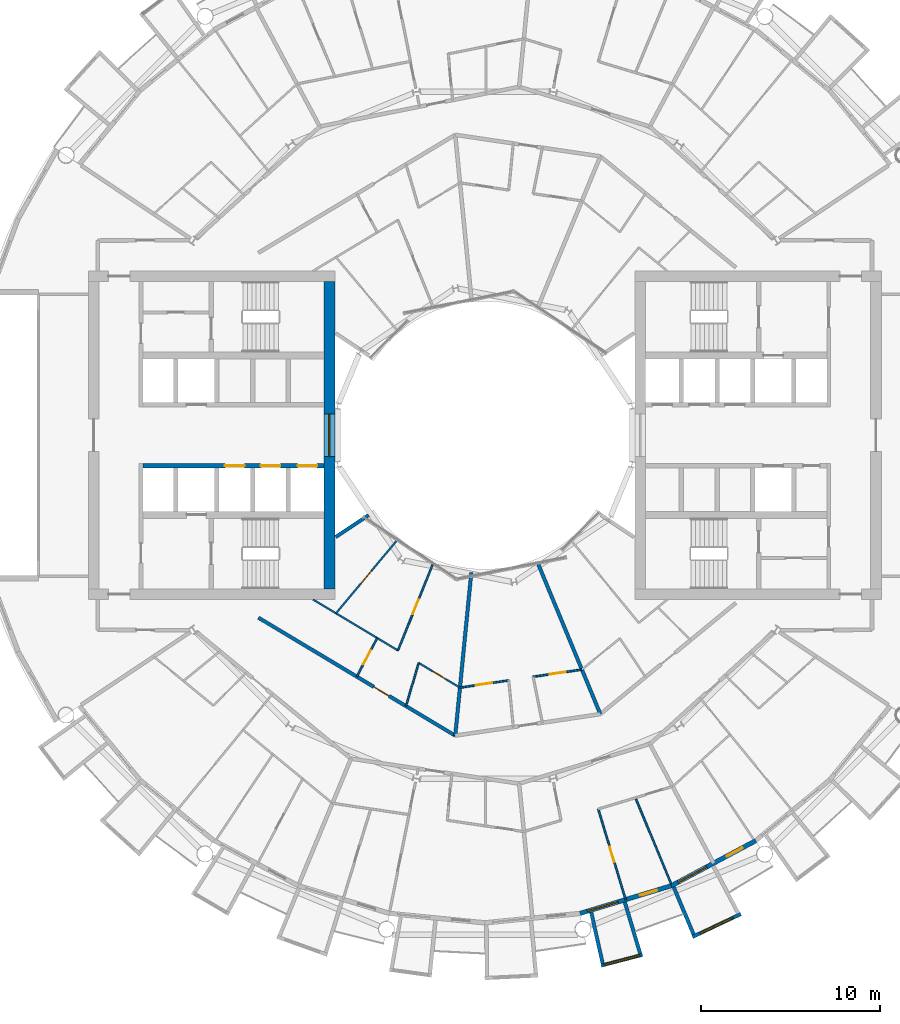
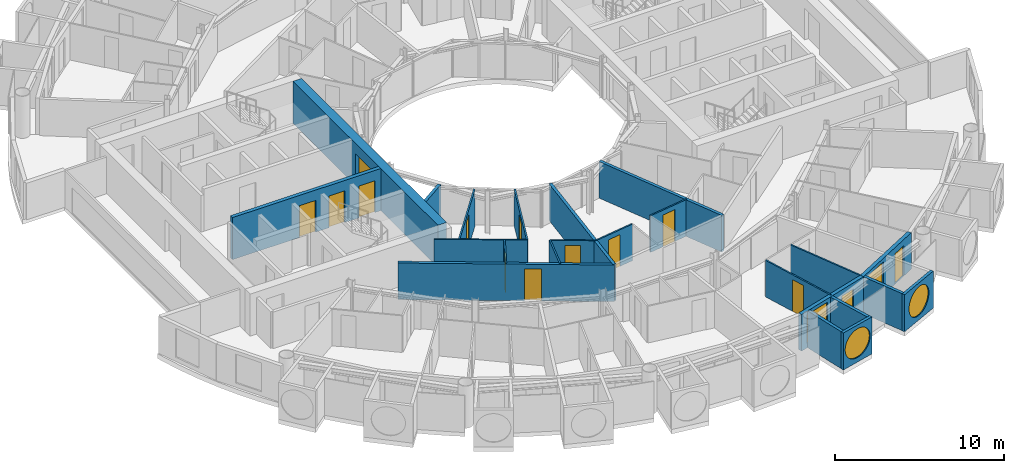
# One storey, part 16 of 27: 23 walls, 13 doors, 5 windows, 18 openings.
"""IFC4 building model written with IfcOpenShell, lengths in metres."""

from ifc_helpers import new_model, si_unit, direction, frame, frame_2d, origin, place, context, subcontext, project, spatial, rectangle, circle, extrude, material, layer, layer_set, type_object, element, fill, save


model = new_model("IFC4")

# Units and contexts
model_context = context("Model", 3, precision=1e-05, world=origin(), true_north=direction((0.0, 1.0)))
body_context = subcontext(model_context, "Body", "Model", "MODEL_VIEW")
ifc_project = project(units=[si_unit("LENGTHUNIT", "METRE"), si_unit("AREAUNIT", "SQUARE_METRE"), si_unit("VOLUMEUNIT", "CUBIC_METRE"), si_unit("PLANEANGLEUNIT", "RADIAN"), si_unit("MASSUNIT", "GRAM", prefix="KILO")], contexts=[model_context])

# Site, building, storey
site_placement = place(None, origin())
site = spatial("IfcSite", under=ifc_project, at=site_placement, CompositionType="ELEMENT")
building_placement = place(site_placement, origin())
building = spatial("IfcBuilding", under=site, at=building_placement, Name="Maasbend Ring Residences", CompositionType="ELEMENT")
storey_placement = place(building_placement, frame((0.0, 0.0, 136.050048828125)))
storey = spatial("IfcBuildingStorey", under=building, at=storey_placement, Name="L39", CompositionType="ELEMENT", Elevation=136.050048828125)

# Wall, openings, doors
ifc_material_1 = material(Name="Concrete C60/75", Category="concrete")
ifc_layer_1 = layer(ifc_material_1, 0.25)
ifc_layer_set_1 = layer_set([ifc_layer_1], Name="Concrete C60/75")
wall_type_1 = type_object("IfcWallType", Name="CORE WALL 250 C60/75", PredefinedType="SHEAR", material=ifc_layer_set_1)
wall_1_placement = place(storey_placement, frame((-9.0, -1.699951171875, 0.0), z_axis=(0.0, 0.0, 1.0), x_axis=(-1.0, 0.0, 0.0)))
wall_1 = element("IfcWall", 1, at=wall_1_placement, inside=storey, type_object=wall_type_1, Name="L39 core W wall SPN", PredefinedType="SHEAR", context=body_context, shape_type="SweptSolid", body=[
    extrude(rectangle(XDim=10.14990234375, YDim=0.25, at=frame_2d((5.074951171875, 0.0))), origin(), (0.0, 0.0, 1.0), 3.050048828125),
])
opening_1_placement = place(wall_1_placement, frame((0.387451171875, 0.0, 0.0)))
opening_1 = element("IfcOpeningElement", 2, at=opening_1_placement, cuts=wall_1, Name="Opening LD-W3901", PredefinedType="OPENING", context=body_context, shape_type="SweptSolid", body=[
    extrude(rectangle(XDim=1.10009765625, YDim=2.300048828125, at=frame_2d((0.550048828125, 1.14990234375))), frame((0.0, 0.135009765625, 0.0), z_axis=(0.0, -1.0, 0.0), x_axis=(1.0, 0.0, 0.0)), (0.0, 0.0, 1.0), 0.27001953125),
])
opening_2_placement = place(wall_1_placement, frame((2.449951171875, 0.0, 0.0)))
opening_2 = element("IfcOpeningElement", 3, at=opening_2_placement, cuts=wall_1, Name="Opening LD-W3902", PredefinedType="OPENING", context=body_context, shape_type="SweptSolid", body=[
    extrude(rectangle(XDim=1.10009765625, YDim=2.300048828125, at=frame_2d((0.550048828125, 1.14990234375))), frame((0.0, 0.135009765625, 0.0), z_axis=(0.0, -1.0, 0.0), x_axis=(1.0, 0.0, 0.0)), (0.0, 0.0, 1.0), 0.27001953125),
])
opening_3_placement = place(wall_1_placement, frame((4.449951171875, 0.0, 0.0)))
opening_3 = element("IfcOpeningElement", 4, at=opening_3_placement, cuts=wall_1, Name="Opening LD-W3903", PredefinedType="OPENING", context=body_context, shape_type="SweptSolid", body=[
    extrude(rectangle(XDim=1.10009765625, YDim=2.300048828125, at=frame_2d((0.550048828125, 1.14990234375))), frame((0.0, 0.135009765625, 0.0), z_axis=(0.0, -1.0, 0.0), x_axis=(1.0, 0.0, 0.0)), (0.0, 0.0, 1.0), 0.27001953125),
])
ifc_material_2 = material(Name="Stainless steel 316", Category="steel")
door_type_1 = type_object("IfcDoorType", Name="LANDING DOOR 1100 X 2300 FD60", OperationType="DOUBLE_DOOR_SLIDING", PredefinedType="DOOR", material=ifc_material_2)
door_1_placement = place(opening_1_placement, origin())
door_1 = element("IfcDoor", 5, at=door_1_placement, inside=storey, type_object=door_type_1, Name="Landing door LR-W1 L39", OperationType="DOUBLE_DOOR_SLIDING", OverallHeight=2.300048828125, OverallWidth=1.10009765625, PredefinedType="DOOR", context=body_context, shape_type="SweptSolid", body=[
    extrude(rectangle(XDim=1.10009765625, YDim=2.300048828125, at=frame_2d((0.550048828125, 1.14990234375))), frame((0.0, 0.02490234375, 0.0), z_axis=(0.0, -1.0, 0.0), x_axis=(1.0, 0.0, 0.0)), (0.0, 0.0, 1.0), 0.050048828125),
])
fill(opening_1, door_1)
door_2_placement = place(opening_2_placement, origin())
door_2 = element("IfcDoor", 6, at=door_2_placement, inside=storey, type_object=door_type_1, Name="Landing door LR-W2 L39", OperationType="DOUBLE_DOOR_SLIDING", OverallHeight=2.300048828125, OverallWidth=1.10009765625, PredefinedType="DOOR", context=body_context, shape_type="SweptSolid", body=[
    extrude(rectangle(XDim=1.10009765625, YDim=2.300048828125, at=frame_2d((0.550048828125, 1.14990234375))), frame((0.0, 0.02490234375, 0.0), z_axis=(0.0, -1.0, 0.0), x_axis=(1.0, 0.0, 0.0)), (0.0, 0.0, 1.0), 0.050048828125),
])
fill(opening_2, door_2)
door_3_placement = place(opening_3_placement, origin())
door_3 = element("IfcDoor", 7, at=door_3_placement, inside=storey, type_object=door_type_1, Name="Landing door LR-W3 L39", OperationType="DOUBLE_DOOR_SLIDING", OverallHeight=2.300048828125, OverallWidth=1.10009765625, PredefinedType="DOOR", context=body_context, shape_type="SweptSolid", body=[
    extrude(rectangle(XDim=1.10009765625, YDim=2.300048828125, at=frame_2d((0.550048828125, 1.14990234375))), frame((0.0, 0.02490234375, 0.0), z_axis=(0.0, -1.0, 0.0), x_axis=(1.0, 0.0, 0.0)), (0.0, 0.0, 1.0), 0.050048828125),
])
fill(opening_3, door_3)

# Wall, opening, window
ifc_material_3 = material(Name="Concrete C60/75", Category="concrete")
ifc_layer_2 = layer(ifc_material_3, 0.60009765625)
ifc_layer_set_2 = layer_set([ifc_layer_2], Name="Concrete C60/75")
wall_type_2 = type_object("IfcWallType", Name="CORE WALL 600 C60/75", PredefinedType="SHEAR", material=ifc_layer_set_2)
wall_2_placement = place(storey_placement, frame((-8.699951171875, 8.60009765625, 0.0), z_axis=(0.0, 0.0, 1.0), x_axis=(0.0, -1.0, 0.0)))
wall_2 = element("IfcWall", 8, at=wall_2_placement, inside=storey, type_object=wall_type_2, Name="L39 core W wall PIN", PredefinedType="SHEAR", context=body_context, shape_type="SweptSolid", body=[
    extrude(rectangle(XDim=17.2001953125, YDim=0.60009765625, at=frame_2d((8.60009765625, 0.0))), origin(), (0.0, 0.0, 1.0), 3.050048828125),
])
opening_4_placement = place(wall_2_placement, frame((7.39990234375, 0.0, 0.10009765625)))
opening_4 = element("IfcOpeningElement", 9, at=opening_4_placement, cuts=wall_2, Name="Opening W-W3901", PredefinedType="OPENING", context=body_context, shape_type="SweptSolid", body=[
    extrude(rectangle(XDim=2.39990234375, YDim=2.199951171875, at=frame_2d((1.199951171875, 1.10009765625))), frame((0.0, 0.31005859375, 0.0), z_axis=(0.0, -1.0, 0.0), x_axis=(1.0, 0.0, 0.0)), (0.0, 0.0, 1.0), 0.6201171875),
])
ifc_material_4 = material(Name="Aluminium frame and clear glass", Category="aluminium")
window_type_1 = type_object("IfcWindowType", Name="FIXED WINDOW 2400 X 2200", PartitioningType="SINGLE_PANEL", PredefinedType="WINDOW", material=ifc_material_4)
window_1_placement = place(opening_4_placement, origin())
window_1 = element("IfcWindow", 10, at=window_1_placement, inside=storey, type_object=window_type_1, Name="Lobby window L39", OverallHeight=2.199951171875, OverallWidth=2.39990234375, PartitioningType="SINGLE_PANEL", PredefinedType="WINDOW", context=body_context, shape_type="SweptSolid", body=[
    extrude(rectangle(XDim=2.39990234375, YDim=2.199951171875, at=frame_2d((1.199951171875, 1.10009765625))), frame((0.0, 0.030029296875, 0.0), z_axis=(0.0, -1.0, 0.0), x_axis=(1.0, 0.0, 0.0)), (0.0, 0.0, 1.0), 0.06005859375),
])
fill(opening_4, window_1)

# Wall, opening, door
ifc_material_5 = material(Name="Concrete C30/37", Category="concrete")
ifc_layer_3 = layer(ifc_material_5, 0.199951171875)
ifc_layer_set_3 = layer_set([ifc_layer_3], Name="Concrete C30/37")
wall_type_3 = type_object("IfcWallType", Name="CORRIDOR WALL 200 CONCRETE", PredefinedType="PARTITIONING", material=ifc_layer_set_3)
wall_3_placement = place(storey_placement, frame((-12.674072265625, -10.216064453125, 0.0), z_axis=(0.0, 0.0, 1.0), x_axis=(0.857761135463, -0.514048474844, 0.0)))
wall_3 = element("IfcWall", 11, at=wall_3_placement, inside=storey, type_object=wall_type_3, Name="U-L39-w018", PredefinedType="PARTITIONING", context=body_context, shape_type="SweptSolid", body=[
    extrude(rectangle(XDim=12.84521484375, YDim=0.199951171875, at=frame_2d((6.422607421875, 0.0))), origin(), (0.0, 0.0, 1.0), 2.64990234375),
])
opening_5_placement = place(wall_3_placement, frame((7.527099609375, 0.0, 0.0)))
opening_5 = element("IfcOpeningElement", 12, at=opening_5_placement, cuts=wall_3, Name="Opening D-3959", PredefinedType="OPENING", context=body_context, shape_type="SweptSolid", body=[
    extrude(rectangle(XDim=1.0, YDim=2.300048828125, at=frame_2d((0.5, 1.14990234375))), frame((0.0, 0.10986328125, 0.0), z_axis=(0.0, -1.0, 0.0), x_axis=(1.0, 0.0, 0.0)), (0.0, 0.0, 1.0), 0.219970703125),
])
ifc_material_6 = material(Name="Timber, fire-rated, painted", Category="wood")
door_type_2 = type_object("IfcDoorType", Name="FLAT ENTRANCE DOOR 1000 X 2300 FIRE-RATED", OperationType="NOTDEFINED", PredefinedType="DOOR", material=ifc_material_6)
door_4_placement = place(opening_5_placement, origin())
door_4 = element("IfcDoor", 13, at=door_4_placement, inside=storey, type_object=door_type_2, Name="D-3959", OperationType="SINGLE_SWING_RIGHT", OverallHeight=2.300048828125, OverallWidth=1.0, PredefinedType="DOOR", context=body_context, shape_type="SweptSolid", body=[
    extrude(rectangle(XDim=1.0, YDim=2.300048828125, at=frame_2d((0.5, 1.14990234375))), frame((0.0, 0.02490234375, 0.0), z_axis=(0.0, -1.0, 0.0), x_axis=(1.0, 0.0, 0.0)), (0.0, 0.0, 1.0), 0.050048828125),
])
fill(opening_5, door_4)

# Wall, opening, window
ifc_material_7 = material(Name="Pale anodised aluminium panel", Category="aluminium")
ifc_layer_4 = layer(ifc_material_7, 0.199951171875)
ifc_layer_set_4 = layer_set([ifc_layer_4], Name="EW-BOX")
wall_type_4 = type_object("IfcWallType", Name="EW-BOX", PredefinedType="SOLIDWALL", material=ifc_layer_set_4)
wall_4_placement = place(storey_placement, frame((6.514892578125, -29.694091796875, -0.030029296875), z_axis=(0.0, 0.0, 1.0), x_axis=(0.967554339146, 0.252663018266, 0.0)))
wall_4 = element("IfcWall", 14, at=wall_4_placement, inside=storey, type_object=wall_type_4, Name="Box front S13", PredefinedType="SOLIDWALL", context=body_context, shape_type="SweptSolid", body=[
    extrude(rectangle(XDim=2.390625, YDim=0.199951171875, at=frame_2d((1.1953125, 0.0))), origin(), (0.0, 0.0, 1.0), 2.679931640625),
])
opening_6_placement = place(wall_4_placement, frame((0.15576171875, 0.0, 0.330078125)))
opening_6 = element("IfcOpeningElement", 15, at=opening_6_placement, cuts=wall_4, Name="Opening W-RD", PredefinedType="OPENING", context=body_context, shape_type="SweptSolid", body=[
    extrude(circle(Radius=1.0400390625, at=frame_2d((1.0400390625, 1.0400390625))), frame((0.0, 0.10986328125, 0.0), z_axis=(0.0, -1.0, 0.0), x_axis=(1.0, 0.0, 0.0)), (0.0, 0.0, 1.0), 0.219970703125),
])
ifc_material_8 = material(Name="Aluminium and clear glass", Category="aluminium")
window_type_2 = type_object("IfcWindowType", Name="W-RD", PartitioningType="SINGLE_PANEL", PredefinedType="WINDOW", material=ifc_material_8)
window_2_placement = place(opening_6_placement, origin())
window_2 = element("IfcWindow", 16, at=window_2_placement, inside=storey, type_object=window_type_2, Name="Round window S13", OverallHeight=2.080078125, OverallWidth=2.080078125, PartitioningType="SINGLE_PANEL", PredefinedType="WINDOW", context=body_context, shape_type="SweptSolid", body=[
    extrude(circle(Radius=1.0400390625, at=frame_2d((1.0400390625, 1.0400390625))), frame((0.0, 0.030029296875, 0.0), z_axis=(0.0, -1.0, 0.0), x_axis=(1.0, 0.0, 0.0)), (0.0, 0.0, 1.0), 0.06005859375),
])
fill(opening_6, window_2)

# Walls
wall_5_placement = place(storey_placement, frame((5.95703125, -26.715087890625, -0.030029296875), z_axis=(0.0, 0.0, 1.0), x_axis=(0.217857287091, -0.975980636315, 0.0)))
element("IfcWall", 17, at=wall_5_placement, inside=storey, type_object=wall_type_4, Name="Box side wall S13 left", PredefinedType="SOLIDWALL", context=body_context, shape_type="SweptSolid", body=[
    extrude(rectangle(XDim=2.92822265625, YDim=0.199951171875, at=frame_2d((1.464111328125, 0.0))), origin(), (0.0, 0.0, 1.0), 2.679931640625),
])
wall_6_placement = place(storey_placement, frame((7.8369140625, -26.14404296875, -0.030029296875), z_axis=(0.0, 0.0, 1.0), x_axis=(0.287064767992, -0.957911174889, 0.0)))
element("IfcWall", 18, at=wall_6_placement, inside=storey, type_object=wall_type_4, Name="Box side wall S13 right", PredefinedType="SOLIDWALL", context=body_context, shape_type="SweptSolid", body=[
    extrude(rectangle(XDim=3.00634765625, YDim=0.199951171875, at=frame_2d((1.503173828125, 0.0))), origin(), (0.0, 0.0, 1.0), 2.679931640625),
])

# Wall, opening, window
wall_7_placement = place(storey_placement, frame((11.62890625, -28.087890625, -0.030029296875), z_axis=(0.0, 0.0, 1.0), x_axis=(0.904000060331, 0.427532327342, 0.0)))
wall_7 = element("IfcWall", 19, at=wall_7_placement, inside=storey, type_object=wall_type_4, Name="Box front S15", PredefinedType="SOLIDWALL", context=body_context, shape_type="SweptSolid", body=[
    extrude(rectangle(XDim=2.993408203125, YDim=0.199951171875, at=frame_2d((1.49658203125, 0.0))), origin(), (0.0, 0.0, 1.0), 2.679931640625),
])
opening_7_placement = place(wall_7_placement, frame((0.45654296875, 0.0, 0.330078125)))
opening_7 = element("IfcOpeningElement", 20, at=opening_7_placement, cuts=wall_7, Name="Opening W-RD", PredefinedType="OPENING", context=body_context, shape_type="SweptSolid", body=[
    extrude(circle(Radius=1.0400390625, at=frame_2d((1.0400390625, 1.0400390625))), frame((0.0, 0.10986328125, 0.0), z_axis=(0.0, -1.0, 0.0), x_axis=(1.0, 0.0, 0.0)), (0.0, 0.0, 1.0), 0.219970703125),
])
window_3_placement = place(opening_7_placement, origin())
window_3 = element("IfcWindow", 21, at=window_3_placement, inside=storey, type_object=window_type_2, Name="Round window S15", OverallHeight=2.080078125, OverallWidth=2.080078125, PartitioningType="SINGLE_PANEL", PredefinedType="WINDOW", context=body_context, shape_type="SweptSolid", body=[
    extrude(circle(Radius=1.0400390625, at=frame_2d((1.0400390625, 1.0400390625))), frame((0.0, 0.030029296875, 0.0), z_axis=(0.0, -1.0, 0.0), x_axis=(1.0, 0.0, 0.0)), (0.0, 0.0, 1.0), 0.06005859375),
])
fill(opening_7, window_3)

# Wall
wall_8_placement = place(storey_placement, frame((10.574951171875, -25.294921875, -0.030029296875), z_axis=(0.0, 0.0, 1.0), x_axis=(0.385697364644, -0.922625353492, 0.0)))
element("IfcWall", 22, at=wall_8_placement, inside=storey, type_object=wall_type_4, Name="Box side wall S15 left", PredefinedType="SOLIDWALL", context=body_context, shape_type="SweptSolid", body=[
    extrude(rectangle(XDim=2.88330078125, YDim=0.199951171875, at=frame_2d((1.441650390625, 0.0))), origin(), (0.0, 0.0, 1.0), 2.679931640625),
])

# Wall, openings, door, window
ifc_material_9 = material(Name="Aluminium clad insulated panel", Category="aluminium")
ifc_layer_5 = layer(ifc_material_9, 0.25)
ifc_layer_set_5 = layer_set([ifc_layer_5], Name="EW-GL")
wall_type_5 = type_object("IfcWallType", Name="EW-GL", PredefinedType="SOLIDWALL", material=ifc_layer_set_5)
wall_9_placement = place(storey_placement, frame((5.325927734375, -26.77490234375, 0.0), z_axis=(0.0, 0.0, 1.0), x_axis=(0.956965678721, 0.290201119486, 0.0)))
wall_9 = element("IfcWall", 23, at=wall_9_placement, inside=storey, type_object=wall_type_5, Name="External wall S07", PredefinedType="SOLIDWALL", context=body_context, shape_type="SweptSolid", body=[
    extrude(rectangle(XDim=5.351318359375, YDim=0.25, at=frame_2d((2.67578125, 0.0))), origin(), (0.0, 0.0, 1.0), 2.64990234375),
])
opening_8_placement = place(wall_9_placement, frame((0.441162109375, 0.0, 0.300048828125)))
opening_8 = element("IfcOpeningElement", 24, at=opening_8_placement, cuts=wall_9, Name="Opening W-BX", PredefinedType="OPENING", context=body_context, shape_type="SweptSolid", body=[
    extrude(rectangle(XDim=1.800048828125, YDim=2.10009765625, at=frame_2d((0.89990234375, 1.050048828125))), frame((0.0, 0.135009765625, 0.0), z_axis=(0.0, -1.0, 0.0), x_axis=(1.0, 0.0, 0.0)), (0.0, 0.0, 1.0), 0.27001953125),
])
opening_9_placement = place(wall_9_placement, frame((3.510498046875, 0.0, 0.0)))
opening_9 = element("IfcOpeningElement", 25, at=opening_9_placement, cuts=wall_9, Name="Opening D-LG", PredefinedType="OPENING", context=body_context, shape_type="SweptSolid", body=[
    extrude(rectangle(XDim=1.0, YDim=2.199951171875, at=frame_2d((0.5, 1.10009765625))), frame((0.0, 0.135009765625, 0.0), z_axis=(0.0, -1.0, 0.0), x_axis=(1.0, 0.0, 0.0)), (0.0, 0.0, 1.0), 0.27001953125),
])
ifc_material_10 = material(Name="Aluminium and clear glass", Category="aluminium")
door_type_3 = type_object("IfcDoorType", Name="D-LG", OperationType="SINGLE_SWING_LEFT", PredefinedType="DOOR", material=ifc_material_10)
door_5_placement = place(opening_9_placement, origin())
door_5 = element("IfcDoor", 26, at=door_5_placement, inside=storey, type_object=door_type_3, Name="Loggia door S14", OperationType="SINGLE_SWING_LEFT", OverallHeight=2.199951171875, OverallWidth=1.0, PredefinedType="DOOR", context=body_context, shape_type="SweptSolid", body=[
    extrude(rectangle(XDim=1.0, YDim=2.199951171875, at=frame_2d((0.5, 1.10009765625))), frame((0.0, 0.02490234375, 0.0), z_axis=(0.0, -1.0, 0.0), x_axis=(1.0, 0.0, 0.0)), (0.0, 0.0, 1.0), 0.050048828125),
])
fill(opening_9, door_5)
ifc_material_11 = material(Name="Aluminium and clear glass", Category="aluminium")
window_type_3 = type_object("IfcWindowType", Name="W-BX", PartitioningType="DOUBLE_PANEL_VERTICAL", PredefinedType="WINDOW", material=ifc_material_11)
window_4_placement = place(opening_8_placement, origin())
window_4 = element("IfcWindow", 27, at=window_4_placement, inside=storey, type_object=window_type_3, Name="Window S13 room to box", OverallHeight=2.10009765625, OverallWidth=1.800048828125, PartitioningType="SINGLE_PANEL", PredefinedType="WINDOW", context=body_context, shape_type="SweptSolid", body=[
    extrude(rectangle(XDim=1.800048828125, YDim=2.10009765625, at=frame_2d((0.89990234375, 1.050048828125))), frame((0.0, 0.030029296875, 0.0), z_axis=(0.0, -1.0, 0.0), x_axis=(1.0, 0.0, 0.0)), (0.0, 0.0, 1.0), 0.06005859375),
])
fill(opening_8, window_4)

wall_10_placement = place(storey_placement, frame((10.447021484375, -25.221923828125, 0.0), z_axis=(0.0, 0.0, 1.0), x_axis=(0.881915646801, 0.471407246368, 0.0)))
wall_10 = element("IfcWall", 28, at=wall_10_placement, inside=storey, type_object=wall_type_5, Name="External wall S08", PredefinedType="SOLIDWALL", context=body_context, shape_type="SweptSolid", body=[
    extrude(rectangle(XDim=5.35205078125, YDim=0.25, at=frame_2d((2.676025390625, 0.0))), origin(), (0.0, 0.0, 1.0), 2.64990234375),
])
opening_10_placement = place(wall_10_placement, frame((0.441162109375, 0.0, 0.300048828125)))
opening_10 = element("IfcOpeningElement", 29, at=opening_10_placement, cuts=wall_10, Name="Opening W-BX", PredefinedType="OPENING", context=body_context, shape_type="SweptSolid", body=[
    extrude(rectangle(XDim=1.800048828125, YDim=2.10009765625, at=frame_2d((0.89990234375, 1.050048828125))), frame((0.0, 0.135009765625, 0.0), z_axis=(0.0, -1.0, 0.0), x_axis=(1.0, 0.0, 0.0)), (0.0, 0.0, 1.0), 0.27001953125),
])
opening_11_placement = place(wall_10_placement, frame((3.510498046875, 0.0, 0.0)))
opening_11 = element("IfcOpeningElement", 30, at=opening_11_placement, cuts=wall_10, Name="Opening D-LG", PredefinedType="OPENING", context=body_context, shape_type="SweptSolid", body=[
    extrude(rectangle(XDim=1.0, YDim=2.199951171875, at=frame_2d((0.5, 1.10009765625))), frame((0.0, 0.135009765625, 0.0), z_axis=(0.0, -1.0, 0.0), x_axis=(1.0, 0.0, 0.0)), (0.0, 0.0, 1.0), 0.27001953125),
])
door_6_placement = place(opening_11_placement, origin())
door_6 = element("IfcDoor", 31, at=door_6_placement, inside=storey, type_object=door_type_3, Name="Loggia door S16", OperationType="SINGLE_SWING_LEFT", OverallHeight=2.199951171875, OverallWidth=1.0, PredefinedType="DOOR", context=body_context, shape_type="SweptSolid", body=[
    extrude(rectangle(XDim=1.0, YDim=2.199951171875, at=frame_2d((0.5, 1.10009765625))), frame((0.0, 0.02490234375, 0.0), z_axis=(0.0, -1.0, 0.0), x_axis=(1.0, 0.0, 0.0)), (0.0, 0.0, 1.0), 0.050048828125),
])
fill(opening_11, door_6)
window_5_placement = place(opening_10_placement, origin())
window_5 = element("IfcWindow", 32, at=window_5_placement, inside=storey, type_object=window_type_3, Name="Window S15 room to box", OverallHeight=2.10009765625, OverallWidth=1.800048828125, PartitioningType="SINGLE_PANEL", PredefinedType="WINDOW", context=body_context, shape_type="SweptSolid", body=[
    extrude(rectangle(XDim=1.800048828125, YDim=2.10009765625, at=frame_2d((0.89990234375, 1.050048828125))), frame((0.0, 0.030029296875, 0.0), z_axis=(0.0, -1.0, 0.0), x_axis=(1.0, 0.0, 0.0)), (0.0, 0.0, 1.0), 0.06005859375),
])
fill(opening_10, window_5)

# Wall, opening, door
ifc_material_12 = material(Name="Gypsum board on steel studs", Category="steel")
ifc_layer_6 = layer(ifc_material_12, 0.10009765625)
ifc_layer_set_6 = layer_set([ifc_layer_6], Name="PARTITION 100 GYPSUM")
wall_type_6 = type_object("IfcWallType", Name="PARTITION 100 GYPSUM", PredefinedType="PARTITIONING", material=ifc_layer_set_6)
wall_11_placement = place(storey_placement, frame((-1.39208984375, -14.132080078125, 0.0), z_axis=(0.0, 0.0, 1.0), x_axis=(0.989182088026, 0.146692865293, 0.0)))
wall_11 = element("IfcWall", 33, at=wall_11_placement, inside=storey, type_object=wall_type_6, Name="U-L39-w019", PredefinedType="PARTITIONING", context=body_context, shape_type="SweptSolid", body=[
    extrude(rectangle(XDim=2.760986328125, YDim=0.10009765625, at=frame_2d((1.38037109375, 0.0))), origin(), (0.0, 0.0, 1.0), 2.64990234375),
])
opening_12_placement = place(wall_11_placement, frame((0.929931640625, 0.0, 0.0)))
opening_12 = element("IfcOpeningElement", 34, at=opening_12_placement, cuts=wall_11, Name="Opening D-3966", PredefinedType="OPENING", context=body_context, shape_type="SweptSolid", body=[
    extrude(rectangle(XDim=0.89990234375, YDim=2.300048828125, at=frame_2d((0.449951171875, 1.14990234375))), frame((0.0, 0.06005859375, 0.0), z_axis=(0.0, -1.0, 0.0), x_axis=(1.0, 0.0, 0.0)), (0.0, 0.0, 1.0), 0.1201171875),
])
ifc_material_13 = material(Name="Timber, painted", Category="wood")
door_type_4 = type_object("IfcDoorType", Name="INTERNAL DOOR 900 X 2300", OperationType="NOTDEFINED", PredefinedType="DOOR", material=ifc_material_13)
door_7_placement = place(opening_12_placement, origin())
door_7 = element("IfcDoor", 35, at=door_7_placement, inside=storey, type_object=door_type_4, Name="D-3966", OperationType="SINGLE_SWING_LEFT", OverallHeight=2.300048828125, OverallWidth=0.89990234375, PredefinedType="DOOR", context=body_context, shape_type="SweptSolid", body=[
    extrude(rectangle(XDim=0.89990234375, YDim=2.300048828125, at=frame_2d((0.449951171875, 1.14990234375))), frame((0.0, 0.02490234375, 0.0), z_axis=(0.0, -1.0, 0.0), x_axis=(1.0, 0.0, 0.0)), (0.0, 0.0, 1.0), 0.050048828125),
])
fill(opening_12, door_7)

wall_12_placement = place(storey_placement, frame((2.702880859375, -13.52490234375, 0.0), z_axis=(0.0, 0.0, 1.0), x_axis=(0.98918730894, 0.146657655211, 0.0)))
wall_12 = element("IfcWall", 36, at=wall_12_placement, inside=storey, type_object=wall_type_6, Name="U-L39-w020", PredefinedType="PARTITIONING", context=body_context, shape_type="SweptSolid", body=[
    extrude(rectangle(XDim=2.760009765625, YDim=0.10009765625, at=frame_2d((1.3798828125, 0.0))), origin(), (0.0, 0.0, 1.0), 2.64990234375),
])
opening_13_placement = place(wall_12_placement, frame((0.930908203125, 0.0, 0.0)))
opening_13 = element("IfcOpeningElement", 37, at=opening_13_placement, cuts=wall_12, Name="Opening D-3965", PredefinedType="OPENING", context=body_context, shape_type="SweptSolid", body=[
    extrude(rectangle(XDim=0.89990234375, YDim=2.300048828125, at=frame_2d((0.449951171875, 1.14990234375))), frame((0.0, 0.06005859375, 0.0), z_axis=(0.0, -1.0, 0.0), x_axis=(1.0, 0.0, 0.0)), (0.0, 0.0, 1.0), 0.1201171875),
])
door_8_placement = place(opening_13_placement, origin())
door_8 = element("IfcDoor", 38, at=door_8_placement, inside=storey, type_object=door_type_4, Name="D-3965", OperationType="SINGLE_SWING_RIGHT", OverallHeight=2.300048828125, OverallWidth=0.89990234375, PredefinedType="DOOR", context=body_context, shape_type="SweptSolid", body=[
    extrude(rectangle(XDim=0.89990234375, YDim=2.300048828125, at=frame_2d((0.449951171875, 1.14990234375))), frame((0.0, 0.02490234375, 0.0), z_axis=(0.0, -1.0, 0.0), x_axis=(1.0, 0.0, 0.0)), (0.0, 0.0, 1.0), 0.050048828125),
])
fill(opening_13, door_8)

# Wall
wall_13_placement = place(storey_placement, frame((-9.62109375, -9.198974609375, 0.0), z_axis=(0.0, 0.0, 1.0), x_axis=(0.857698539053, -0.514152911211, 0.0)))
element("IfcWall", 39, at=wall_13_placement, inside=storey, type_object=wall_type_6, Name="U-L39-w023", PredefinedType="PARTITIONING", context=body_context, shape_type="SweptSolid", body=[
    extrude(rectangle(XDim=5.55078125, YDim=0.10009765625, at=frame_2d((2.775390625, 0.0))), origin(), (0.0, 0.0, 1.0), 2.64990234375),
])

# Wall, opening, door
wall_14_placement = place(storey_placement, frame((-3.701904296875, -12.7470703125, 0.0), z_axis=(0.0, 0.0, 1.0), x_axis=(0.85772440305, -0.514109763001, 0.0)))
wall_14 = element("IfcWall", 40, at=wall_14_placement, inside=storey, type_object=wall_type_6, Name="U-L39-w024", PredefinedType="PARTITIONING", context=body_context, shape_type="SweptSolid", body=[
    extrude(rectangle(XDim=2.69775390625, YDim=0.10009765625, at=frame_2d((1.348876953125, 0.0))), origin(), (0.0, 0.0, 1.0), 2.64990234375),
])
opening_14_placement = place(wall_14_placement, frame((0.89404296875, 0.0, 0.0)))
opening_14 = element("IfcOpeningElement", 41, at=opening_14_placement, cuts=wall_14, Name="Opening D-3960", PredefinedType="OPENING", context=body_context, shape_type="SweptSolid", body=[
    extrude(rectangle(XDim=0.89990234375, YDim=2.300048828125, at=frame_2d((0.449951171875, 1.14990234375))), frame((0.0, 0.06005859375, 0.0), z_axis=(0.0, -1.0, 0.0), x_axis=(1.0, 0.0, 0.0)), (0.0, 0.0, 1.0), 0.1201171875),
])
door_9_placement = place(opening_14_placement, origin())
door_9 = element("IfcDoor", 42, at=door_9_placement, inside=storey, type_object=door_type_4, Name="D-3960", OperationType="SINGLE_SWING_LEFT", OverallHeight=2.300048828125, OverallWidth=0.89990234375, PredefinedType="DOOR", context=body_context, shape_type="SweptSolid", body=[
    extrude(rectangle(XDim=0.89990234375, YDim=2.300048828125, at=frame_2d((0.449951171875, 1.14990234375))), frame((0.0, 0.02490234375, 0.0), z_axis=(0.0, -1.0, 0.0), x_axis=(1.0, 0.0, 0.0)), (0.0, 0.0, 1.0), 0.050048828125),
])
fill(opening_14, door_9)

wall_15_placement = place(storey_placement, frame((-8.3349609375, -9.969970703125, 0.0), z_axis=(0.0, 0.0, 1.0), x_axis=(0.641376424834, 0.767226356213, 0.0)))
wall_15 = element("IfcWall", 43, at=wall_15_placement, inside=storey, type_object=wall_type_6, Name="U-L39-w044", PredefinedType="PARTITIONING", context=body_context, shape_type="SweptSolid", body=[
    extrude(rectangle(XDim=5.274658203125, YDim=0.10009765625, at=frame_2d((2.63720703125, 0.0))), origin(), (0.0, 0.0, 1.0), 2.64990234375),
])
opening_15_placement = place(wall_15_placement, frame((2.18701171875, 0.0, 0.0)))
opening_15 = element("IfcOpeningElement", 44, at=opening_15_placement, cuts=wall_15, Name="Opening D-3963", PredefinedType="OPENING", context=body_context, shape_type="SweptSolid", body=[
    extrude(rectangle(XDim=0.89990234375, YDim=2.300048828125, at=frame_2d((0.449951171875, 1.14990234375))), frame((0.0, 0.06005859375, 0.0), z_axis=(0.0, -1.0, 0.0), x_axis=(1.0, 0.0, 0.0)), (0.0, 0.0, 1.0), 0.1201171875),
])
door_10_placement = place(opening_15_placement, origin())
door_10 = element("IfcDoor", 45, at=door_10_placement, inside=storey, type_object=door_type_4, Name="D-3963", OperationType="SINGLE_SWING_RIGHT", OverallHeight=2.300048828125, OverallWidth=0.89990234375, PredefinedType="DOOR", context=body_context, shape_type="SweptSolid", body=[
    extrude(rectangle(XDim=0.89990234375, YDim=2.300048828125, at=frame_2d((0.449951171875, 1.14990234375))), frame((0.0, 0.02490234375, 0.0), z_axis=(0.0, -1.0, 0.0), x_axis=(1.0, 0.0, 0.0)), (0.0, 0.0, 1.0), 0.050048828125),
])
fill(opening_15, door_10)

wall_16_placement = place(storey_placement, frame((-7.1689453125, -13.51611328125, 0.0), z_axis=(0.0, 0.0, 1.0), x_axis=(0.468649029236, 0.883384450506, 0.0)))
wall_16 = element("IfcWall", 46, at=wall_16_placement, inside=storey, type_object=wall_type_6, Name="U-L39-w048", PredefinedType="PARTITIONING", context=body_context, shape_type="SweptSolid", body=[
    extrude(rectangle(XDim=2.4453125, YDim=0.10009765625, at=frame_2d((1.22265625, 0.0))), origin(), (0.0, 0.0, 1.0), 2.64990234375),
])
opening_16_placement = place(wall_16_placement, frame((0.77294921875, 0.0, 0.0)))
opening_16 = element("IfcOpeningElement", 47, at=opening_16_placement, cuts=wall_16, Name="Opening D-3961", PredefinedType="OPENING", context=body_context, shape_type="SweptSolid", body=[
    extrude(rectangle(XDim=0.89990234375, YDim=2.300048828125, at=frame_2d((0.449951171875, 1.14990234375))), frame((0.0, 0.06005859375, 0.0), z_axis=(0.0, -1.0, 0.0), x_axis=(1.0, 0.0, 0.0)), (0.0, 0.0, 1.0), 0.1201171875),
])
door_11_placement = place(opening_16_placement, origin())
door_11 = element("IfcDoor", 48, at=door_11_placement, inside=storey, type_object=door_type_4, Name="D-3961", OperationType="SINGLE_SWING_RIGHT", OverallHeight=2.300048828125, OverallWidth=0.89990234375, PredefinedType="DOOR", context=body_context, shape_type="SweptSolid", body=[
    extrude(rectangle(XDim=0.89990234375, YDim=2.300048828125, at=frame_2d((0.449951171875, 1.14990234375))), frame((0.0, 0.02490234375, 0.0), z_axis=(0.0, -1.0, 0.0), x_axis=(1.0, 0.0, 0.0)), (0.0, 0.0, 1.0), 0.050048828125),
])
fill(opening_16, door_11)

wall_17_placement = place(storey_placement, frame((-4.864013671875, -12.051025390625, 0.0), z_axis=(0.0, 0.0, 1.0), x_axis=(0.374372761824, 0.927278294367, 0.0)))
wall_17 = element("IfcWall", 49, at=wall_17_placement, inside=storey, type_object=wall_type_6, Name="U-L39-w052", PredefinedType="PARTITIONING", context=body_context, shape_type="SweptSolid", body=[
    extrude(rectangle(XDim=5.275634765625, YDim=0.10009765625, at=frame_2d((2.6376953125, 0.0))), origin(), (0.0, 0.0, 1.0), 2.64990234375),
])
opening_17_placement = place(wall_17_placement, frame((2.18798828125, 0.0, 0.0)))
opening_17 = element("IfcOpeningElement", 50, at=opening_17_placement, cuts=wall_17, Name="Opening D-3962", PredefinedType="OPENING", context=body_context, shape_type="SweptSolid", body=[
    extrude(rectangle(XDim=0.89990234375, YDim=2.300048828125, at=frame_2d((0.449951171875, 1.14990234375))), frame((0.0, 0.06005859375, 0.0), z_axis=(0.0, -1.0, 0.0), x_axis=(1.0, 0.0, 0.0)), (0.0, 0.0, 1.0), 0.1201171875),
])
door_12_placement = place(opening_17_placement, origin())
door_12 = element("IfcDoor", 51, at=door_12_placement, inside=storey, type_object=door_type_4, Name="D-3962", OperationType="SINGLE_SWING_RIGHT", OverallHeight=2.300048828125, OverallWidth=0.89990234375, PredefinedType="DOOR", context=body_context, shape_type="SweptSolid", body=[
    extrude(rectangle(XDim=0.89990234375, YDim=2.300048828125, at=frame_2d((0.449951171875, 1.14990234375))), frame((0.0, 0.02490234375, 0.0), z_axis=(0.0, -1.0, 0.0), x_axis=(1.0, 0.0, 0.0)), (0.0, 0.0, 1.0), 0.050048828125),
])
fill(opening_17, door_12)

# Wall
wall_18_placement = place(storey_placement, frame((-4.410888671875, -15.16796875, 0.0), z_axis=(0.0, 0.0, 1.0), x_axis=(0.279201466266, 0.960232545395, 0.0)))
element("IfcWall", 52, at=wall_18_placement, inside=storey, type_object=wall_type_6, Name="U-L39-w054", PredefinedType="PARTITIONING", context=body_context, shape_type="SweptSolid", body=[
    extrude(rectangle(XDim=2.5244140625, YDim=0.10009765625, at=frame_2d((1.26220703125, 0.0))), origin(), (0.0, 0.0, 1.0), 2.64990234375),
])

# Wall, opening, door
wall_19_placement = place(storey_placement, frame((6.34912109375, -20.929931640625, 0.0), z_axis=(0.0, 0.0, 1.0), x_axis=(0.290172218727, -0.956974442438, 0.0)))
wall_19 = element("IfcWall", 53, at=wall_19_placement, inside=storey, type_object=wall_type_6, Name="U-L39-w076", PredefinedType="PARTITIONING", context=body_context, shape_type="SweptSolid", body=[
    extrude(rectangle(XDim=5.30322265625, YDim=0.10009765625, at=frame_2d((2.651611328125, 0.0))), origin(), (0.0, 0.0, 1.0), 2.64990234375),
])
opening_18_placement = place(wall_19_placement, frame((2.201904296875, 0.0, 0.0)))
opening_18 = element("IfcOpeningElement", 54, at=opening_18_placement, cuts=wall_19, Name="Opening D-3951", PredefinedType="OPENING", context=body_context, shape_type="SweptSolid", body=[
    extrude(rectangle(XDim=0.89990234375, YDim=2.300048828125, at=frame_2d((0.449951171875, 1.14990234375))), frame((0.0, 0.06005859375, 0.0), z_axis=(0.0, -1.0, 0.0), x_axis=(1.0, 0.0, 0.0)), (0.0, 0.0, 1.0), 0.1201171875),
])
door_13_placement = place(opening_18_placement, origin())
door_13 = element("IfcDoor", 55, at=door_13_placement, inside=storey, type_object=door_type_4, Name="D-3951", OperationType="SINGLE_SWING_RIGHT", OverallHeight=2.300048828125, OverallWidth=0.89990234375, PredefinedType="DOOR", context=body_context, shape_type="SweptSolid", body=[
    extrude(rectangle(XDim=0.89990234375, YDim=2.300048828125, at=frame_2d((0.449951171875, 1.14990234375))), frame((0.0, 0.02490234375, 0.0), z_axis=(0.0, -1.0, 0.0), x_axis=(1.0, 0.0, 0.0)), (0.0, 0.0, 1.0), 0.050048828125),
])
fill(opening_18, door_13)

# Walls
wall_20_placement = place(storey_placement, frame((8.430908203125, -20.298095703125, 0.0), z_axis=(0.0, 0.0, 1.0), x_axis=(0.383480536297, -0.923548958248, 0.0)))
element("IfcWall", 56, at=wall_20_placement, inside=storey, type_object=wall_type_6, Name="U-L39-w080", PredefinedType="PARTITIONING", context=body_context, shape_type="SweptSolid", body=[
    extrude(rectangle(XDim=5.195068359375, YDim=0.10009765625, at=frame_2d((2.59765625, 0.0))), origin(), (0.0, 0.0, 1.0), 2.64990234375),
])
ifc_material_14 = material(Name="Concrete C30/37", Category="concrete")
ifc_layer_7 = layer(ifc_material_14, 0.199951171875)
ifc_layer_set_7 = layer_set([ifc_layer_7], Name="Concrete C30/37")
wall_type_7 = type_object("IfcWallType", Name="PARTY WALL 200 CONCRETE", PredefinedType="PARTITIONING", material=ifc_layer_set_7)
wall_21_placement = place(storey_placement, frame((-6.512939453125, -4.471923828125, 0.0), z_axis=(0.0, 0.0, 1.0), x_axis=(-0.831333375071, -0.555774072347, 0.0)))
element("IfcWall", 57, at=wall_21_placement, inside=storey, type_object=wall_type_7, Name="U-L39-w027", PredefinedType="PARTITIONING", context=body_context, shape_type="SweptSolid", body=[
    extrude(rectangle(XDim=2.20263671875, YDim=0.199951171875, at=frame_2d((1.101318359375, 0.0))), origin(), (0.0, 0.0, 1.0), 2.64990234375),
])
wall_22_placement = place(storey_placement, frame((-1.656982421875, -16.819091796875, 0.0), z_axis=(0.0, 0.0, 1.0), x_axis=(0.098026443043, 0.995183810391, 0.0)))
element("IfcWall", 58, at=wall_22_placement, inside=storey, type_object=wall_type_7, Name="U-L39-w060", PredefinedType="PARTITIONING", context=body_context, shape_type="SweptSolid", body=[
    extrude(rectangle(XDim=9.18017578125, YDim=0.199951171875, at=frame_2d((4.590087890625, 0.0))), origin(), (0.0, 0.0, 1.0), 2.64990234375),
])
wall_23_placement = place(storey_placement, frame((2.9541015625, -7.132080078125, 0.0), z_axis=(0.0, 0.0, 1.0), x_axis=(0.382646942224, -0.923894646378, 0.0)))
element("IfcWall", 59, at=wall_23_placement, inside=storey, type_object=wall_type_7, Name="U-L39-w070", PredefinedType="PARTITIONING", context=body_context, shape_type="SweptSolid", body=[
    extrude(rectangle(XDim=9.1806640625, YDim=0.199951171875, at=frame_2d((4.59033203125, 0.0))), origin(), (0.0, 0.0, 1.0), 2.64990234375),
])

save(model, "model.ifc")
